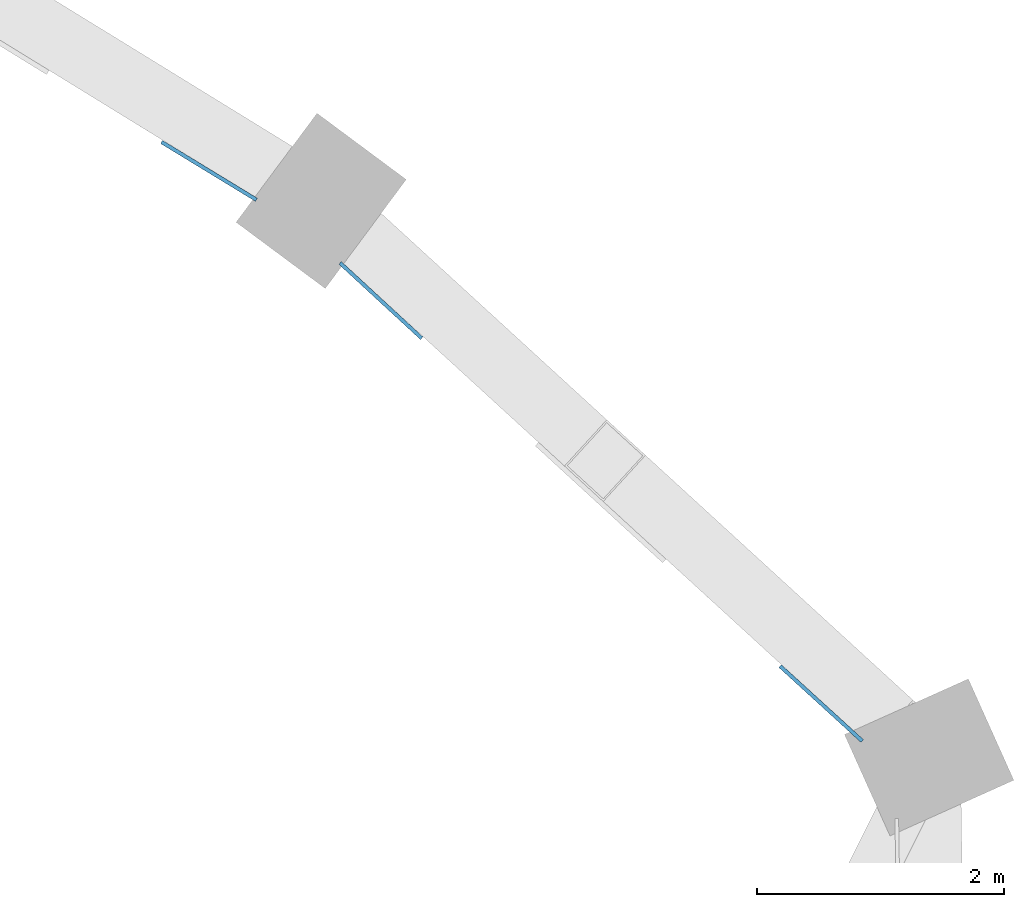
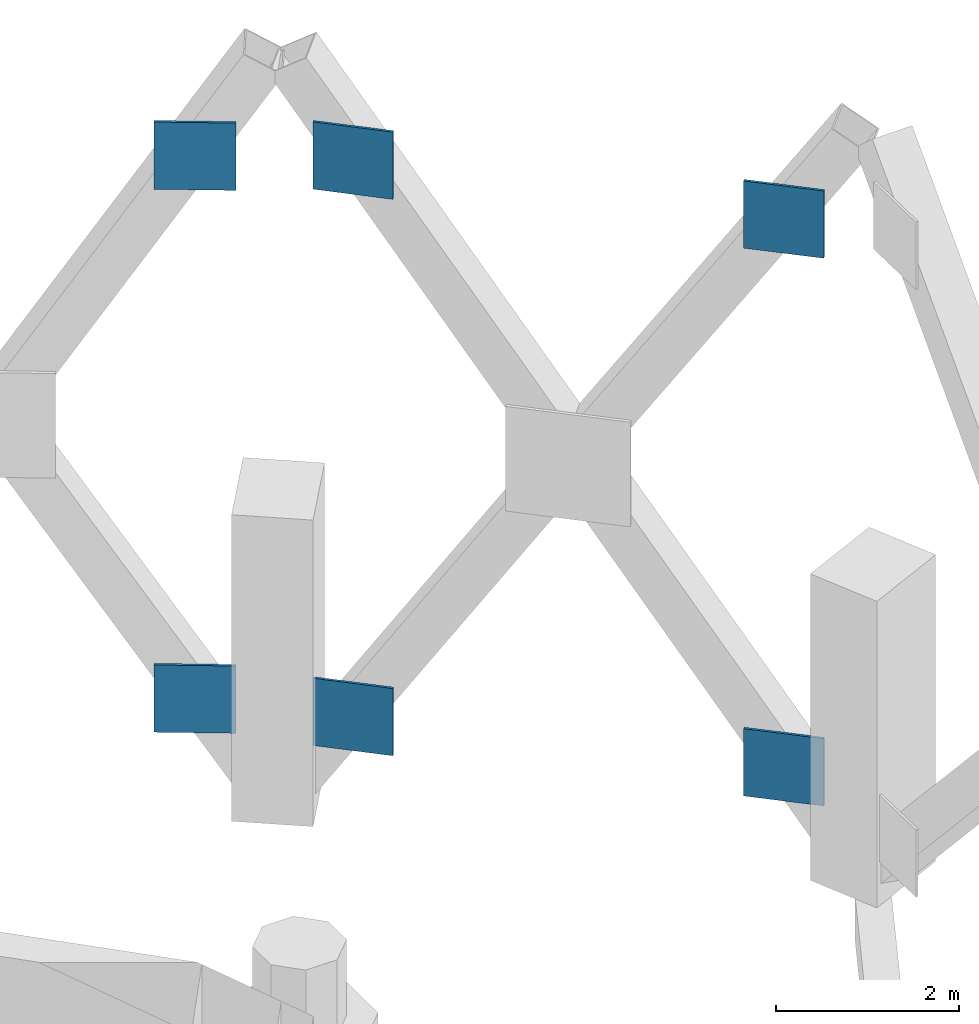
# One storey, part 8 of 16: 6 discrete accessories.
"""IFC4 building model written with IfcOpenShell, lengths in metres."""

from ifc_helpers import new_model, si_unit, direction, frame, origin, origin_2d, place, context, subcontext, project, spatial, rectangle, extrude, material, material_profile, profile_set, type_object, element, save


model = new_model("IFC4")

# Units and contexts
model_context = context("Model", 3, precision=1e-05, world=origin(), true_north=direction((0.0, 1.0)))
body_context = subcontext(model_context, "Body", "Model", "MODEL_VIEW")
ifc_project = project(units=[si_unit("LENGTHUNIT", "METRE"), si_unit("AREAUNIT", "SQUARE_METRE"), si_unit("VOLUMEUNIT", "CUBIC_METRE"), si_unit("PLANEANGLEUNIT", "RADIAN"), si_unit("MASSUNIT", "GRAM", prefix="KILO")], contexts=[model_context])

# Site, building, storey
site_placement = place(None, origin())
site = spatial("IfcSite", under=ifc_project, at=site_placement, CompositionType="ELEMENT")
building_placement = place(site_placement, origin())
building = spatial("IfcBuilding", under=site, at=building_placement, Name="Cypress Arch Tower", CompositionType="ELEMENT")
storey_placement = place(building_placement, frame((0.0, 0.0, 230.199951171875)))
storey = spatial("IfcBuildingStorey", under=building, at=storey_placement, Name="L51", CompositionType="ELEMENT", Elevation=230.199951171875)

# Discrete accessories
ifc_material = material(Name="Steel ASTM A992", Category="steel")
ifc_material_profile = material_profile(ifc_material, rectangle(XDim=0.89990234375, YDim=0.89990234375, at=origin_2d()), Name="PL 30 900x900")
ifc_profile_set = profile_set([ifc_material_profile], Name="Steel ASTM A992")
discrete_accessory_type = type_object("IfcDiscreteAccessoryType", Name="Gusset plate 900x900x30 Steel ASTM A992", PredefinedType="ANCHORPLATE", material=ifc_profile_set)
discrete_accessory_1_placement = place(storey_placement, frame((23.198974609375, 14.20654296875, 1.43603515625), z_axis=(-0.673884243496, -0.738836941664, 0.0), x_axis=(0.738836941664, -0.673884243496, 0.0)))
element("IfcDiscreteAccessory", 1, at=discrete_accessory_1_placement, inside=storey, type_object=discrete_accessory_type, Name="Gusset plate L51 CQ15-CQ16u0", PredefinedType="ANCHORPLATE", context=body_context, shape_type="SweptSolid", body=[
    extrude(rectangle(XDim=0.89990234375, YDim=0.89990234375, at=origin_2d()), origin(), (0.0, 0.0, 1.0), 0.030029296875),
])
discrete_accessory_2_placement = place(storey_placement, frame((19.63232421875, 17.470947265625, 8.821533203125), z_axis=(-0.677940786048, -0.735116514991, 0.0), x_axis=(0.735116514991, -0.677940786048, 0.0)))
element("IfcDiscreteAccessory", 2, at=discrete_accessory_2_placement, inside=storey, type_object=discrete_accessory_type, Name="Gusset plate L51 CQ15-CQ16u1", PredefinedType="ANCHORPLATE", context=body_context, shape_type="SweptSolid", body=[
    extrude(rectangle(XDim=0.89990234375, YDim=0.89990234375, at=origin_2d()), origin(), (0.0, 0.0, 1.0), 0.02978515625),
])
discrete_accessory_3_placement = place(storey_placement, frame((23.198974609375, 14.20654296875, 8.763916015625), z_axis=(-0.673884243496, -0.738836941664, 0.0), x_axis=(0.738836941664, -0.673884243496, 0.0)))
element("IfcDiscreteAccessory", 3, at=discrete_accessory_3_placement, inside=storey, type_object=discrete_accessory_type, Name="Gusset plate L51 CQ15-CQ16d0", PredefinedType="ANCHORPLATE", context=body_context, shape_type="SweptSolid", body=[
    extrude(rectangle(XDim=0.89990234375, YDim=0.89990234375, at=origin_2d()), origin(), (0.0, 0.0, 1.0), 0.030029296875),
])
discrete_accessory_4_placement = place(storey_placement, frame((19.63232421875, 17.470947265625, 1.37841796875), z_axis=(-0.677940786048, -0.735116514991, 0.0), x_axis=(0.735116514991, -0.677940786048, 0.0)))
element("IfcDiscreteAccessory", 4, at=discrete_accessory_4_placement, inside=storey, type_object=discrete_accessory_type, Name="Gusset plate L51 CQ15-CQ16d1", PredefinedType="ANCHORPLATE", context=body_context, shape_type="SweptSolid", body=[
    extrude(rectangle(XDim=0.89990234375, YDim=0.89990234375, at=origin_2d()), origin(), (0.0, 0.0, 1.0), 0.02978515625),
])
for number, where, z_axis, x_axis, name in (
    (5, (18.237060546875, 18.523681640625, 1.468505859375), (-0.520462828118, -0.853884327381, 0.0), (0.853884327381, -0.520462828118, 0.0), "Gusset plate L51 CQ16-CQ17u0"),
    (6, (18.237060546875, 18.523681640625, 8.731689453125), (-0.520462828118, -0.853884327381, 0.0), (0.853884327381, -0.520462828118, 0.0), "Gusset plate L51 CQ16-CQ17d0"),
):
    element("IfcDiscreteAccessory", number, at=place(storey_placement, frame(where, z_axis=z_axis, x_axis=x_axis)), inside=storey, type_object=discrete_accessory_type, Name=name, PredefinedType="ANCHORPLATE", context=body_context, shape_type="SweptSolid", body=[
        extrude(rectangle(XDim=0.89990234375, YDim=0.89990234375, at=origin_2d()), origin(), (0.0, 0.0, 1.0), 0.030029296875),
    ])

save(model, "model.ifc")
